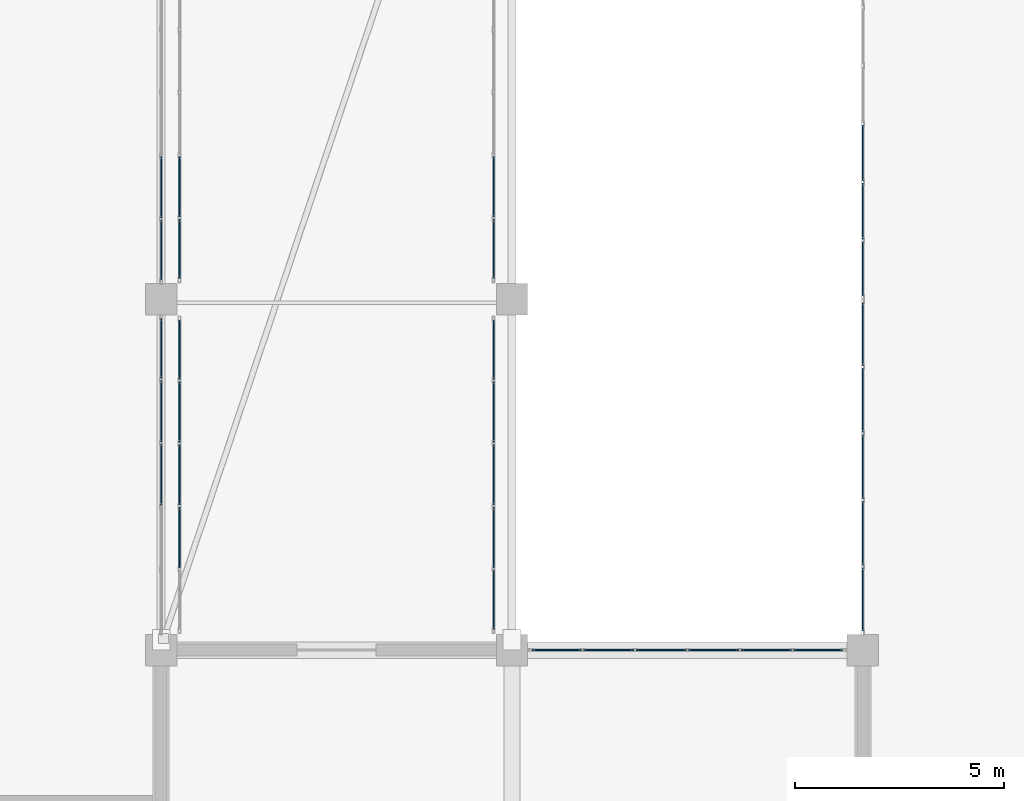
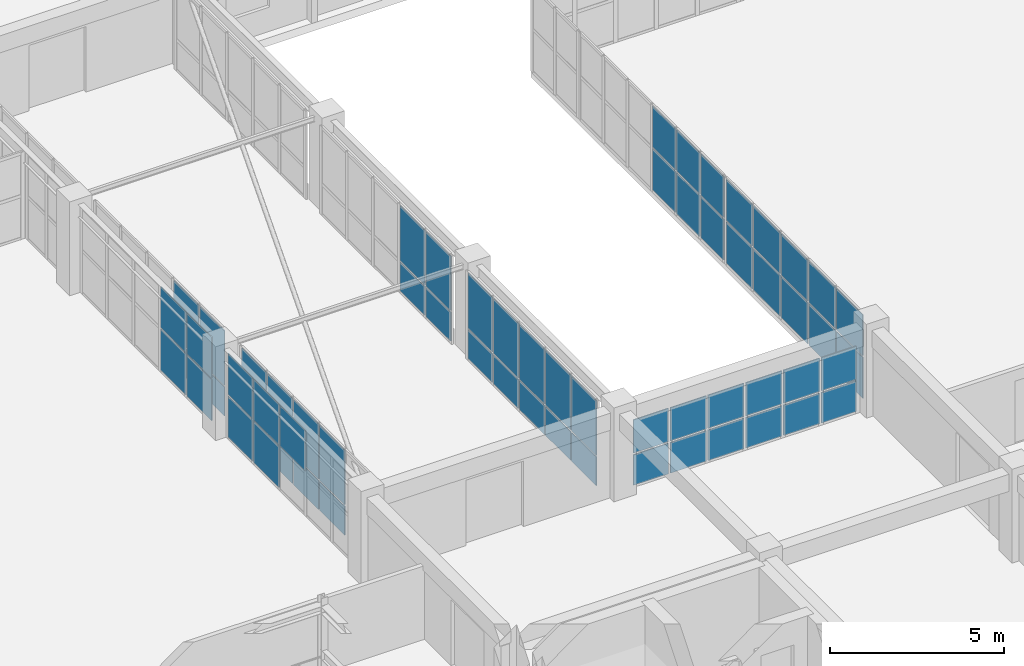
# One storey, part 153 of 200: 63 plates, 9 elements without a shape of their own.
"""IFC4 building model written with IfcOpenShell, lengths in metres."""

from ifc_helpers import new_model, si_unit, direction, frame, origin, origin_2d, place, context, subcontext, project, spatial, rectangle, extrude, material, layer, layer_set, type_object, element, aggregate, save


model = new_model("IFC4")

# Units and contexts
model_context = context("Model", 3, precision=1e-05, world=origin(), true_north=direction((0.0, 1.0)))
body_context = subcontext(model_context, "Body", "Model", "MODEL_VIEW")
ifc_project = project(units=[si_unit("LENGTHUNIT", "METRE"), si_unit("AREAUNIT", "SQUARE_METRE"), si_unit("VOLUMEUNIT", "CUBIC_METRE"), si_unit("PLANEANGLEUNIT", "RADIAN"), si_unit("MASSUNIT", "GRAM", prefix="KILO")], contexts=[model_context])

# Site, building, storey
site_placement = place(None, origin())
site = spatial("IfcSite", under=ifc_project, at=site_placement, CompositionType="ELEMENT")
building_placement = place(site_placement, origin())
building = spatial("IfcBuilding", under=site, at=building_placement, Name="Trelvath General Hospital", CompositionType="ELEMENT")
storey_placement = place(building_placement, frame((0.0, 0.0, 4.800048828125)))
storey = spatial("IfcBuildingStorey", under=building, at=storey_placement, Name="L01", CompositionType="ELEMENT", Elevation=4.800048828125)

# Curtain wall, plates
ifc_material_1 = material(Name="Anodised aluminium and low-E glass", Category="aluminium")
ifc_layer_1 = layer(ifc_material_1, 0.14990234375)
ifc_layer_set_1 = layer_set([ifc_layer_1], Name="Anodised aluminium and low-E glass")
curtain_wall_type_1 = type_object("IfcCurtainWallType", Name="CW CrystalCube 759 306 15", PredefinedType="USERDEFINED", material=ifc_layer_set_1)
curtain_wall_1_placement = place(storey_placement, origin())
curtain_wall_1 = element("IfcCurtainWall", 1, at=curtain_wall_1_placement, inside=storey, type_object=curtain_wall_type_1, Name="Crystal Cube Curtain Wall CUBE-W-T0 E5 L01", ObjectType="Unitised Glazed Curtain Wall", PredefinedType="USERDEFINED")
ifc_material_2 = material(Name="Low-E laminated glass", Category="glass")
ifc_layer_2 = layer(ifc_material_2, 0.028076171875)
ifc_layer_set_2 = layer_set([ifc_layer_2], Name="Low-E laminated glass")
plate_type_1 = type_object("IfcPlateType", Name="CurtainPanel Glass28", PredefinedType="CURTAIN_PANEL", material=ifc_layer_set_2)
plate_1_placement = place(storey_placement, frame((75.60009765625, 74.4208984375, 0.06005859375), z_axis=(0.0, 0.0, 1.0), x_axis=(0.0, -1.0, 0.0)))
plate_1 = element("IfcPlate", 2, at=plate_1_placement, type_object=plate_type_1, Name="CW-145 panel 1.1", PredefinedType="CURTAIN_PANEL", context=body_context, shape_type="SweptSolid", body=[
    extrude(rectangle(XDim=1.427978515625, YDim=0.028076171875, at=origin_2d()), origin(), (0.0, 0.0, 1.0), 1.43994140625),
])
plate_2_placement = place(storey_placement, frame((75.60009765625, 74.4208984375, 1.56005859375), z_axis=(0.0, 0.0, 1.0), x_axis=(0.0, -1.0, 0.0)))
plate_2 = element("IfcPlate", 3, at=plate_2_placement, type_object=plate_type_1, Name="CW-145 panel 1.2", PredefinedType="CURTAIN_PANEL", context=body_context, shape_type="SweptSolid", body=[
    extrude(rectangle(XDim=1.427978515625, YDim=0.028076171875, at=origin_2d()), origin(), (0.0, 0.0, 1.0), 1.43994140625),
])
plate_3_placement = place(storey_placement, frame((75.60009765625, 72.91796875, 0.06005859375), z_axis=(0.0, 0.0, 1.0), x_axis=(0.0, -1.0, 0.0)))
plate_3 = element("IfcPlate", 4, at=plate_3_placement, type_object=plate_type_1, Name="CW-145 panel 2.1", PredefinedType="CURTAIN_PANEL", context=body_context, shape_type="SweptSolid", body=[
    extrude(rectangle(XDim=1.4580078125, YDim=0.028076171875, at=origin_2d()), origin(), (0.0, 0.0, 1.0), 1.43994140625),
])
plate_4_placement = place(storey_placement, frame((75.60009765625, 72.91796875, 1.56005859375), z_axis=(0.0, 0.0, 1.0), x_axis=(0.0, -1.0, 0.0)))
plate_4 = element("IfcPlate", 5, at=plate_4_placement, type_object=plate_type_1, Name="CW-145 panel 2.2", PredefinedType="CURTAIN_PANEL", context=body_context, shape_type="SweptSolid", body=[
    extrude(rectangle(XDim=1.4580078125, YDim=0.028076171875, at=origin_2d()), origin(), (0.0, 0.0, 1.0), 1.43994140625),
])
plate_5_placement = place(storey_placement, frame((75.60009765625, 71.39990234375, 1.56005859375), z_axis=(0.0, 0.0, 1.0), x_axis=(0.0, -1.0, 0.0)))
plate_5 = element("IfcPlate", 6, at=plate_5_placement, type_object=plate_type_1, Name="CW-145 panel 3.2", PredefinedType="CURTAIN_PANEL", context=body_context, shape_type="SweptSolid", body=[
    extrude(rectangle(XDim=1.4580078125, YDim=0.028076171875, at=origin_2d()), origin(), (0.0, 0.0, 1.0), 1.43994140625),
])
aggregate(curtain_wall_1, [plate_1, plate_2, plate_3, plate_4, plate_5])

curtain_wall_2_placement = place(storey_placement, origin())
curtain_wall_2 = element("IfcCurtainWall", 7, at=curtain_wall_2_placement, inside=storey, type_object=curtain_wall_type_1, Name="Crystal Cube Curtain Wall CUBE-W-T0 E6 L01", ObjectType="Unitised Glazed Curtain Wall", PredefinedType="USERDEFINED")
plate_6_placement = place(storey_placement, frame((75.60009765625, 78.281982421875, 0.06005859375), z_axis=(0.0, 0.0, 1.0), x_axis=(0.0, -1.0, 0.0)))
plate_6 = element("IfcPlate", 8, at=plate_6_placement, type_object=plate_type_1, Name="CW-147 panel 4.1", PredefinedType="CURTAIN_PANEL", context=body_context, shape_type="SweptSolid", body=[
    extrude(rectangle(XDim=1.4580078125, YDim=0.028076171875, at=origin_2d()), origin(), (0.0, 0.0, 1.0), 1.43994140625),
])
plate_7_placement = place(storey_placement, frame((75.60009765625, 78.281982421875, 1.56005859375), z_axis=(0.0, 0.0, 1.0), x_axis=(0.0, -1.0, 0.0)))
plate_7 = element("IfcPlate", 9, at=plate_7_placement, type_object=plate_type_1, Name="CW-147 panel 4.2", PredefinedType="CURTAIN_PANEL", context=body_context, shape_type="SweptSolid", body=[
    extrude(rectangle(XDim=1.4580078125, YDim=0.028076171875, at=origin_2d()), origin(), (0.0, 0.0, 1.0), 1.43994140625),
])
plate_8_placement = place(storey_placement, frame((75.60009765625, 76.779052734375, 0.06005859375), z_axis=(0.0, 0.0, 1.0), x_axis=(0.0, -1.0, 0.0)))
plate_8 = element("IfcPlate", 10, at=plate_8_placement, type_object=plate_type_1, Name="CW-147 panel 5.1", PredefinedType="CURTAIN_PANEL", context=body_context, shape_type="SweptSolid", body=[
    extrude(rectangle(XDim=1.427978515625, YDim=0.028076171875, at=origin_2d()), origin(), (0.0, 0.0, 1.0), 1.43994140625),
])
plate_9_placement = place(storey_placement, frame((75.60009765625, 76.779052734375, 1.56005859375), z_axis=(0.0, 0.0, 1.0), x_axis=(0.0, -1.0, 0.0)))
plate_9 = element("IfcPlate", 11, at=plate_9_placement, type_object=plate_type_1, Name="CW-147 panel 5.2", PredefinedType="CURTAIN_PANEL", context=body_context, shape_type="SweptSolid", body=[
    extrude(rectangle(XDim=1.427978515625, YDim=0.028076171875, at=origin_2d()), origin(), (0.0, 0.0, 1.0), 1.43994140625),
])
aggregate(curtain_wall_2, [plate_6, plate_7, plate_8, plate_9])

ifc_material_3 = material(Name="Anodised aluminium and low-E glass", Category="aluminium")
ifc_layer_3 = layer(ifc_material_3, 0.14990234375)
ifc_layer_set_3 = layer_set([ifc_layer_3], Name="Anodised aluminium and low-E glass")
curtain_wall_type_2 = type_object("IfcCurtainWallType", Name="CW CrystalCube 798 306 15", PredefinedType="USERDEFINED", material=ifc_layer_set_3)
curtain_wall_3_placement = place(storey_placement, origin())
curtain_wall_3 = element("IfcCurtainWall", 12, at=curtain_wall_3_placement, inside=storey, type_object=curtain_wall_type_2, Name="Crystal Cube Curtain Wall CUBE-E-T0 W5 L01", ObjectType="Unitised Glazed Curtain Wall", PredefinedType="USERDEFINED")
plate_10_placement = place(storey_placement, frame((92.39990234375, 68.41748046875, 0.06005859375), z_axis=(0.0, 0.0, 1.0), x_axis=(0.0, 1.0, 0.0)))
plate_10 = element("IfcPlate", 13, at=plate_10_placement, type_object=plate_type_1, Name="CW-167 panel 1.1", PredefinedType="CURTAIN_PANEL", context=body_context, shape_type="SweptSolid", body=[
    extrude(rectangle(XDim=1.5048828125, YDim=0.028076171875, at=origin_2d()), origin(), (0.0, 0.0, 1.0), 1.43994140625),
])
plate_11_placement = place(storey_placement, frame((92.39990234375, 68.41748046875, 1.56005859375), z_axis=(0.0, 0.0, 1.0), x_axis=(0.0, 1.0, 0.0)))
plate_11 = element("IfcPlate", 14, at=plate_11_placement, type_object=plate_type_1, Name="CW-167 panel 1.2", PredefinedType="CURTAIN_PANEL", context=body_context, shape_type="SweptSolid", body=[
    extrude(rectangle(XDim=1.5048828125, YDim=0.028076171875, at=origin_2d()), origin(), (0.0, 0.0, 1.0), 1.43994140625),
])
plate_12_placement = place(storey_placement, frame((92.39990234375, 69.99755859375, 0.06005859375), z_axis=(0.0, 0.0, 1.0), x_axis=(0.0, 1.0, 0.0)))
plate_12 = element("IfcPlate", 15, at=plate_12_placement, type_object=plate_type_1, Name="CW-167 panel 2.1", PredefinedType="CURTAIN_PANEL", context=body_context, shape_type="SweptSolid", body=[
    extrude(rectangle(XDim=1.534912109375, YDim=0.028076171875, at=origin_2d()), origin(), (0.0, 0.0, 1.0), 1.43994140625),
])
plate_13_placement = place(storey_placement, frame((92.39990234375, 69.99755859375, 1.56005859375), z_axis=(0.0, 0.0, 1.0), x_axis=(0.0, 1.0, 0.0)))
plate_13 = element("IfcPlate", 16, at=plate_13_placement, type_object=plate_type_1, Name="CW-167 panel 2.2", PredefinedType="CURTAIN_PANEL", context=body_context, shape_type="SweptSolid", body=[
    extrude(rectangle(XDim=1.534912109375, YDim=0.028076171875, at=origin_2d()), origin(), (0.0, 0.0, 1.0), 1.43994140625),
])
plate_14_placement = place(storey_placement, frame((92.39990234375, 71.592529296875, 0.06005859375), z_axis=(0.0, 0.0, 1.0), x_axis=(0.0, 1.0, 0.0)))
plate_14 = element("IfcPlate", 17, at=plate_14_placement, type_object=plate_type_1, Name="CW-167 panel 3.1", PredefinedType="CURTAIN_PANEL", context=body_context, shape_type="SweptSolid", body=[
    extrude(rectangle(XDim=1.534912109375, YDim=0.028076171875, at=origin_2d()), origin(), (0.0, 0.0, 1.0), 1.43994140625),
])
plate_15_placement = place(storey_placement, frame((92.39990234375, 71.592529296875, 1.56005859375), z_axis=(0.0, 0.0, 1.0), x_axis=(0.0, 1.0, 0.0)))
plate_15 = element("IfcPlate", 18, at=plate_15_placement, type_object=plate_type_1, Name="CW-167 panel 3.2", PredefinedType="CURTAIN_PANEL", context=body_context, shape_type="SweptSolid", body=[
    extrude(rectangle(XDim=1.534912109375, YDim=0.028076171875, at=origin_2d()), origin(), (0.0, 0.0, 1.0), 1.43994140625),
])
plate_16_placement = place(storey_placement, frame((92.39990234375, 73.1875, 0.06005859375), z_axis=(0.0, 0.0, 1.0), x_axis=(0.0, 1.0, 0.0)))
plate_16 = element("IfcPlate", 19, at=plate_16_placement, type_object=plate_type_1, Name="CW-167 panel 4.1", PredefinedType="CURTAIN_PANEL", context=body_context, shape_type="SweptSolid", body=[
    extrude(rectangle(XDim=1.534912109375, YDim=0.028076171875, at=origin_2d()), origin(), (0.0, 0.0, 1.0), 1.43994140625),
])
plate_17_placement = place(storey_placement, frame((92.39990234375, 73.1875, 1.56005859375), z_axis=(0.0, 0.0, 1.0), x_axis=(0.0, 1.0, 0.0)))
plate_17 = element("IfcPlate", 20, at=plate_17_placement, type_object=plate_type_1, Name="CW-167 panel 4.2", PredefinedType="CURTAIN_PANEL", context=body_context, shape_type="SweptSolid", body=[
    extrude(rectangle(XDim=1.534912109375, YDim=0.028076171875, at=origin_2d()), origin(), (0.0, 0.0, 1.0), 1.43994140625),
])
plate_18_placement = place(storey_placement, frame((92.39990234375, 74.767578125, 0.06005859375), z_axis=(0.0, 0.0, 1.0), x_axis=(0.0, 1.0, 0.0)))
plate_18 = element("IfcPlate", 21, at=plate_18_placement, type_object=plate_type_1, Name="CW-167 panel 5.1", PredefinedType="CURTAIN_PANEL", context=body_context, shape_type="SweptSolid", body=[
    extrude(rectangle(XDim=1.5048828125, YDim=0.028076171875, at=origin_2d()), origin(), (0.0, 0.0, 1.0), 1.43994140625),
])
plate_19_placement = place(storey_placement, frame((92.39990234375, 74.767578125, 1.56005859375), z_axis=(0.0, 0.0, 1.0), x_axis=(0.0, 1.0, 0.0)))
plate_19 = element("IfcPlate", 22, at=plate_19_placement, type_object=plate_type_1, Name="CW-167 panel 5.2", PredefinedType="CURTAIN_PANEL", context=body_context, shape_type="SweptSolid", body=[
    extrude(rectangle(XDim=1.5048828125, YDim=0.028076171875, at=origin_2d()), origin(), (0.0, 0.0, 1.0), 1.43994140625),
])
aggregate(curtain_wall_3, [plate_10, plate_11, plate_12, plate_13, plate_14, plate_15, plate_16, plate_17, plate_18, plate_19])

ifc_material_4 = material(Name="Anodised aluminium and low-E glass", Category="aluminium")
ifc_layer_4 = layer(ifc_material_4, 0.14990234375)
ifc_layer_set_4 = layer_set([ifc_layer_4], Name="Anodised aluminium and low-E glass")
curtain_wall_type_3 = type_object("IfcCurtainWallType", Name="CW CrystalCube 836 306 15", PredefinedType="USERDEFINED", material=ifc_layer_set_4)
curtain_wall_4_placement = place(storey_placement, origin())
curtain_wall_4 = element("IfcCurtainWall", 23, at=curtain_wall_4_placement, inside=storey, type_object=curtain_wall_type_3, Name="Crystal Cube Curtain Wall CUBE-E-T0 W6 L01", ObjectType="Unitised Glazed Curtain Wall", PredefinedType="USERDEFINED")
plate_20_placement = place(storey_placement, frame((92.39990234375, 76.331787109375, 0.06005859375), z_axis=(0.0, 0.0, 1.0), x_axis=(0.0, 1.0, 0.0)))
plate_20 = element("IfcPlate", 24, at=plate_20_placement, type_object=plate_type_1, Name="CW-169 panel 1.1", PredefinedType="CURTAIN_PANEL", context=body_context, shape_type="SweptSolid", body=[
    extrude(rectangle(XDim=1.30322265625, YDim=0.028076171875, at=origin_2d()), origin(), (0.0, 0.0, 1.0), 1.43994140625),
])
plate_21_placement = place(storey_placement, frame((92.39990234375, 76.331787109375, 1.56005859375), z_axis=(0.0, 0.0, 1.0), x_axis=(0.0, 1.0, 0.0)))
plate_21 = element("IfcPlate", 25, at=plate_21_placement, type_object=plate_type_1, Name="CW-169 panel 1.2", PredefinedType="CURTAIN_PANEL", context=body_context, shape_type="SweptSolid", body=[
    extrude(rectangle(XDim=1.30322265625, YDim=0.028076171875, at=origin_2d()), origin(), (0.0, 0.0, 1.0), 1.43994140625),
])
plate_22_placement = place(storey_placement, frame((92.39990234375, 77.7099609375, 0.06005859375), z_axis=(0.0, 0.0, 1.0), x_axis=(0.0, 1.0, 0.0)))
plate_22 = element("IfcPlate", 26, at=plate_22_placement, type_object=plate_type_1, Name="CW-169 panel 2.1", PredefinedType="CURTAIN_PANEL", context=body_context, shape_type="SweptSolid", body=[
    extrude(rectangle(XDim=1.333251953125, YDim=0.028076171875, at=origin_2d()), origin(), (0.0, 0.0, 1.0), 1.43994140625),
])
plate_23_placement = place(storey_placement, frame((92.39990234375, 77.7099609375, 1.56005859375), z_axis=(0.0, 0.0, 1.0), x_axis=(0.0, 1.0, 0.0)))
plate_23 = element("IfcPlate", 27, at=plate_23_placement, type_object=plate_type_1, Name="CW-169 panel 2.2", PredefinedType="CURTAIN_PANEL", context=body_context, shape_type="SweptSolid", body=[
    extrude(rectangle(XDim=1.333251953125, YDim=0.028076171875, at=origin_2d()), origin(), (0.0, 0.0, 1.0), 1.43994140625),
])
plate_24_placement = place(storey_placement, frame((92.39990234375, 79.103271484375, 0.06005859375), z_axis=(0.0, 0.0, 1.0), x_axis=(0.0, 1.0, 0.0)))
plate_24 = element("IfcPlate", 28, at=plate_24_placement, type_object=plate_type_1, Name="CW-169 panel 3.1", PredefinedType="CURTAIN_PANEL", context=body_context, shape_type="SweptSolid", body=[
    extrude(rectangle(XDim=1.333251953125, YDim=0.028076171875, at=origin_2d()), origin(), (0.0, 0.0, 1.0), 1.43994140625),
])
plate_25_placement = place(storey_placement, frame((92.39990234375, 79.103271484375, 1.56005859375), z_axis=(0.0, 0.0, 1.0), x_axis=(0.0, 1.0, 0.0)))
plate_25 = element("IfcPlate", 29, at=plate_25_placement, type_object=plate_type_1, Name="CW-169 panel 3.2", PredefinedType="CURTAIN_PANEL", context=body_context, shape_type="SweptSolid", body=[
    extrude(rectangle(XDim=1.333251953125, YDim=0.028076171875, at=origin_2d()), origin(), (0.0, 0.0, 1.0), 1.43994140625),
])
aggregate(curtain_wall_4, [plate_20, plate_21, plate_22, plate_23, plate_24, plate_25])

ifc_material_5 = material(Name="Anodised aluminium and low-E glass", Category="aluminium")
ifc_layer_5 = layer(ifc_material_5, 0.139892578125)
ifc_layer_set_5 = layer_set([ifc_layer_5], Name="Anodised aluminium and low-E glass")
curtain_wall_type_4 = type_object("IfcCurtainWallType", Name="CW Bridge 752 311", PredefinedType="USERDEFINED", material=ifc_layer_set_5)
curtain_wall_5_placement = place(storey_placement, origin())
curtain_wall_5 = element("IfcCurtainWall", 30, at=curtain_wall_5_placement, inside=storey, type_object=curtain_wall_type_4, Name="Glazed Bridge Curtain Wall BRG-N-C W L01", ObjectType="Unitised Glazed Curtain Wall", PredefinedType="USERDEFINED")
plate_26_placement = place(storey_placement, frame((76.0400390625, 69.89599609375, 0.06005859375), z_axis=(0.0, 0.0, 1.0), x_axis=(0.0, 1.0, 0.0)))
plate_26 = element("IfcPlate", 31, at=plate_26_placement, type_object=plate_type_1, Name="CW-172 panel 2.1", PredefinedType="CURTAIN_PANEL", context=body_context, shape_type="SweptSolid", body=[
    extrude(rectangle(XDim=1.444091796875, YDim=0.028076171875, at=origin_2d()), origin(), (0.0, 0.0, 1.0), 1.010009765625),
])
plate_27_placement = place(storey_placement, frame((76.0400390625, 69.89599609375, 1.1298828125), z_axis=(0.0, 0.0, 1.0), x_axis=(0.0, 1.0, 0.0)))
plate_27 = element("IfcPlate", 32, at=plate_27_placement, type_object=plate_type_1, Name="CW-172 panel 2.2", PredefinedType="CURTAIN_PANEL", context=body_context, shape_type="SweptSolid", body=[
    extrude(rectangle(XDim=1.444091796875, YDim=0.028076171875, at=origin_2d()), origin(), (0.0, 0.0, 1.0), 1.919921875),
])
plate_28_placement = place(storey_placement, frame((76.0400390625, 71.39990234375, 0.06005859375), z_axis=(0.0, 0.0, 1.0), x_axis=(0.0, 1.0, 0.0)))
plate_28 = element("IfcPlate", 33, at=plate_28_placement, type_object=plate_type_1, Name="CW-172 panel 3.1", PredefinedType="CURTAIN_PANEL", context=body_context, shape_type="SweptSolid", body=[
    extrude(rectangle(XDim=1.444091796875, YDim=0.028076171875, at=origin_2d()), origin(), (0.0, 0.0, 1.0), 1.010009765625),
])
plate_29_placement = place(storey_placement, frame((76.0400390625, 71.39990234375, 1.1298828125), z_axis=(0.0, 0.0, 1.0), x_axis=(0.0, 1.0, 0.0)))
plate_29 = element("IfcPlate", 34, at=plate_29_placement, type_object=plate_type_1, Name="CW-172 panel 3.2", PredefinedType="CURTAIN_PANEL", context=body_context, shape_type="SweptSolid", body=[
    extrude(rectangle(XDim=1.444091796875, YDim=0.028076171875, at=origin_2d()), origin(), (0.0, 0.0, 1.0), 1.919921875),
])
plate_30_placement = place(storey_placement, frame((76.0400390625, 72.904052734375, 0.06005859375), z_axis=(0.0, 0.0, 1.0), x_axis=(0.0, 1.0, 0.0)))
plate_30 = element("IfcPlate", 35, at=plate_30_placement, type_object=plate_type_1, Name="CW-172 panel 4.1", PredefinedType="CURTAIN_PANEL", context=body_context, shape_type="SweptSolid", body=[
    extrude(rectangle(XDim=1.444091796875, YDim=0.028076171875, at=origin_2d()), origin(), (0.0, 0.0, 1.0), 1.010009765625),
])
plate_31_placement = place(storey_placement, frame((76.0400390625, 72.904052734375, 1.1298828125), z_axis=(0.0, 0.0, 1.0), x_axis=(0.0, 1.0, 0.0)))
plate_31 = element("IfcPlate", 36, at=plate_31_placement, type_object=plate_type_1, Name="CW-172 panel 4.2", PredefinedType="CURTAIN_PANEL", context=body_context, shape_type="SweptSolid", body=[
    extrude(rectangle(XDim=1.444091796875, YDim=0.028076171875, at=origin_2d()), origin(), (0.0, 0.0, 1.0), 1.919921875),
])
plate_32_placement = place(storey_placement, frame((76.0400390625, 74.39306640625, 0.06005859375), z_axis=(0.0, 0.0, 1.0), x_axis=(0.0, 1.0, 0.0)))
plate_32 = element("IfcPlate", 37, at=plate_32_placement, type_object=plate_type_1, Name="CW-172 panel 5.1", PredefinedType="CURTAIN_PANEL", context=body_context, shape_type="SweptSolid", body=[
    extrude(rectangle(XDim=1.4140625, YDim=0.028076171875, at=origin_2d()), origin(), (0.0, 0.0, 1.0), 1.010009765625),
])
plate_33_placement = place(storey_placement, frame((76.0400390625, 74.39306640625, 1.1298828125), z_axis=(0.0, 0.0, 1.0), x_axis=(0.0, 1.0, 0.0)))
plate_33 = element("IfcPlate", 38, at=plate_33_placement, type_object=plate_type_1, Name="CW-172 panel 5.2", PredefinedType="CURTAIN_PANEL", context=body_context, shape_type="SweptSolid", body=[
    extrude(rectangle(XDim=1.4140625, YDim=0.028076171875, at=origin_2d()), origin(), (0.0, 0.0, 1.0), 1.919921875),
])
aggregate(curtain_wall_5, [plate_26, plate_27, plate_28, plate_29, plate_30, plate_31, plate_32, plate_33])

curtain_wall_6_placement = place(storey_placement, origin())
curtain_wall_6 = element("IfcCurtainWall", 39, at=curtain_wall_6_placement, inside=storey, type_object=curtain_wall_type_4, Name="Glazed Bridge Curtain Wall BRG-N-C E L01", ObjectType="Unitised Glazed Curtain Wall", PredefinedType="USERDEFINED")
plate_34_placement = place(storey_placement, frame((83.56005859375, 74.39306640625, 0.06005859375), z_axis=(0.0, 0.0, 1.0), x_axis=(0.0, -1.0, 0.0)))
plate_34 = element("IfcPlate", 40, at=plate_34_placement, type_object=plate_type_1, Name="CW-173 panel 1.1", PredefinedType="CURTAIN_PANEL", context=body_context, shape_type="SweptSolid", body=[
    extrude(rectangle(XDim=1.4140625, YDim=0.028076171875, at=origin_2d()), origin(), (0.0, 0.0, 1.0), 1.010009765625),
])
plate_35_placement = place(storey_placement, frame((83.56005859375, 74.39306640625, 1.1298828125), z_axis=(0.0, 0.0, 1.0), x_axis=(0.0, -1.0, 0.0)))
plate_35 = element("IfcPlate", 41, at=plate_35_placement, type_object=plate_type_1, Name="CW-173 panel 1.2", PredefinedType="CURTAIN_PANEL", context=body_context, shape_type="SweptSolid", body=[
    extrude(rectangle(XDim=1.4140625, YDim=0.028076171875, at=origin_2d()), origin(), (0.0, 0.0, 1.0), 1.919921875),
])
plate_36_placement = place(storey_placement, frame((83.56005859375, 72.904052734375, 0.06005859375), z_axis=(0.0, 0.0, 1.0), x_axis=(0.0, -1.0, 0.0)))
plate_36 = element("IfcPlate", 42, at=plate_36_placement, type_object=plate_type_1, Name="CW-173 panel 2.1", PredefinedType="CURTAIN_PANEL", context=body_context, shape_type="SweptSolid", body=[
    extrude(rectangle(XDim=1.444091796875, YDim=0.028076171875, at=origin_2d()), origin(), (0.0, 0.0, 1.0), 1.010009765625),
])
plate_37_placement = place(storey_placement, frame((83.56005859375, 72.904052734375, 1.1298828125), z_axis=(0.0, 0.0, 1.0), x_axis=(0.0, -1.0, 0.0)))
plate_37 = element("IfcPlate", 43, at=plate_37_placement, type_object=plate_type_1, Name="CW-173 panel 2.2", PredefinedType="CURTAIN_PANEL", context=body_context, shape_type="SweptSolid", body=[
    extrude(rectangle(XDim=1.444091796875, YDim=0.028076171875, at=origin_2d()), origin(), (0.0, 0.0, 1.0), 1.919921875),
])
plate_38_placement = place(storey_placement, frame((83.56005859375, 71.39990234375, 0.06005859375), z_axis=(0.0, 0.0, 1.0), x_axis=(0.0, -1.0, 0.0)))
plate_38 = element("IfcPlate", 44, at=plate_38_placement, type_object=plate_type_1, Name="CW-173 panel 3.1", PredefinedType="CURTAIN_PANEL", context=body_context, shape_type="SweptSolid", body=[
    extrude(rectangle(XDim=1.444091796875, YDim=0.028076171875, at=origin_2d()), origin(), (0.0, 0.0, 1.0), 1.010009765625),
])
plate_39_placement = place(storey_placement, frame((83.56005859375, 71.39990234375, 1.1298828125), z_axis=(0.0, 0.0, 1.0), x_axis=(0.0, -1.0, 0.0)))
plate_39 = element("IfcPlate", 45, at=plate_39_placement, type_object=plate_type_1, Name="CW-173 panel 3.2", PredefinedType="CURTAIN_PANEL", context=body_context, shape_type="SweptSolid", body=[
    extrude(rectangle(XDim=1.444091796875, YDim=0.028076171875, at=origin_2d()), origin(), (0.0, 0.0, 1.0), 1.919921875),
])
plate_40_placement = place(storey_placement, frame((83.56005859375, 69.89599609375, 0.06005859375), z_axis=(0.0, 0.0, 1.0), x_axis=(0.0, -1.0, 0.0)))
plate_40 = element("IfcPlate", 46, at=plate_40_placement, type_object=plate_type_1, Name="CW-173 panel 4.1", PredefinedType="CURTAIN_PANEL", context=body_context, shape_type="SweptSolid", body=[
    extrude(rectangle(XDim=1.444091796875, YDim=0.028076171875, at=origin_2d()), origin(), (0.0, 0.0, 1.0), 1.010009765625),
])
plate_41_placement = place(storey_placement, frame((83.56005859375, 69.89599609375, 1.1298828125), z_axis=(0.0, 0.0, 1.0), x_axis=(0.0, -1.0, 0.0)))
plate_41 = element("IfcPlate", 47, at=plate_41_placement, type_object=plate_type_1, Name="CW-173 panel 4.2", PredefinedType="CURTAIN_PANEL", context=body_context, shape_type="SweptSolid", body=[
    extrude(rectangle(XDim=1.444091796875, YDim=0.028076171875, at=origin_2d()), origin(), (0.0, 0.0, 1.0), 1.919921875),
])
plate_42_placement = place(storey_placement, frame((83.56005859375, 68.406982421875, 0.06005859375), z_axis=(0.0, 0.0, 1.0), x_axis=(0.0, -1.0, 0.0)))
plate_42 = element("IfcPlate", 48, at=plate_42_placement, type_object=plate_type_1, Name="CW-173 panel 5.1", PredefinedType="CURTAIN_PANEL", context=body_context, shape_type="SweptSolid", body=[
    extrude(rectangle(XDim=1.4140625, YDim=0.028076171875, at=origin_2d()), origin(), (0.0, 0.0, 1.0), 1.010009765625),
])
plate_43_placement = place(storey_placement, frame((83.56005859375, 68.406982421875, 1.1298828125), z_axis=(0.0, 0.0, 1.0), x_axis=(0.0, -1.0, 0.0)))
plate_43 = element("IfcPlate", 49, at=plate_43_placement, type_object=plate_type_1, Name="CW-173 panel 5.2", PredefinedType="CURTAIN_PANEL", context=body_context, shape_type="SweptSolid", body=[
    extrude(rectangle(XDim=1.4140625, YDim=0.028076171875, at=origin_2d()), origin(), (0.0, 0.0, 1.0), 1.919921875),
])
aggregate(curtain_wall_6, [plate_34, plate_35, plate_36, plate_37, plate_38, plate_39, plate_40, plate_41, plate_42, plate_43])

curtain_wall_7_placement = place(storey_placement, origin())
curtain_wall_7 = element("IfcCurtainWall", 50, at=curtain_wall_7_placement, inside=storey, type_object=curtain_wall_type_4, Name="Glazed Bridge Curtain Wall BRG-N-C W L01", ObjectType="Unitised Glazed Curtain Wall", PredefinedType="USERDEFINED")
plate_44_placement = place(storey_placement, frame((76.0400390625, 76.806884765625, 0.06005859375), z_axis=(0.0, 0.0, 1.0), x_axis=(0.0, 1.0, 0.0)))
plate_44 = element("IfcPlate", 51, at=plate_44_placement, type_object=plate_type_1, Name="CW-174 panel 1.1", PredefinedType="CURTAIN_PANEL", context=body_context, shape_type="SweptSolid", body=[
    extrude(rectangle(XDim=1.4140625, YDim=0.028076171875, at=origin_2d()), origin(), (0.0, 0.0, 1.0), 1.010009765625),
])
plate_45_placement = place(storey_placement, frame((76.0400390625, 76.806884765625, 1.1298828125), z_axis=(0.0, 0.0, 1.0), x_axis=(0.0, 1.0, 0.0)))
plate_45 = element("IfcPlate", 52, at=plate_45_placement, type_object=plate_type_1, Name="CW-174 panel 1.2", PredefinedType="CURTAIN_PANEL", context=body_context, shape_type="SweptSolid", body=[
    extrude(rectangle(XDim=1.4140625, YDim=0.028076171875, at=origin_2d()), origin(), (0.0, 0.0, 1.0), 1.919921875),
])
plate_46_placement = place(storey_placement, frame((76.0400390625, 78.2958984375, 0.06005859375), z_axis=(0.0, 0.0, 1.0), x_axis=(0.0, 1.0, 0.0)))
plate_46 = element("IfcPlate", 53, at=plate_46_placement, type_object=plate_type_1, Name="CW-174 panel 2.1", PredefinedType="CURTAIN_PANEL", context=body_context, shape_type="SweptSolid", body=[
    extrude(rectangle(XDim=1.444091796875, YDim=0.028076171875, at=origin_2d()), origin(), (0.0, 0.0, 1.0), 1.010009765625),
])
plate_47_placement = place(storey_placement, frame((76.0400390625, 78.2958984375, 1.1298828125), z_axis=(0.0, 0.0, 1.0), x_axis=(0.0, 1.0, 0.0)))
plate_47 = element("IfcPlate", 54, at=plate_47_placement, type_object=plate_type_1, Name="CW-174 panel 2.2", PredefinedType="CURTAIN_PANEL", context=body_context, shape_type="SweptSolid", body=[
    extrude(rectangle(XDim=1.444091796875, YDim=0.028076171875, at=origin_2d()), origin(), (0.0, 0.0, 1.0), 1.919921875),
])
aggregate(curtain_wall_7, [plate_44, plate_45, plate_46, plate_47])

curtain_wall_8_placement = place(storey_placement, origin())
curtain_wall_8 = element("IfcCurtainWall", 55, at=curtain_wall_8_placement, inside=storey, type_object=curtain_wall_type_4, Name="Glazed Bridge Curtain Wall BRG-N-C E L01", ObjectType="Unitised Glazed Curtain Wall", PredefinedType="USERDEFINED")
plate_48_placement = place(storey_placement, frame((83.56005859375, 78.2958984375, 0.06005859375), z_axis=(0.0, 0.0, 1.0), x_axis=(0.0, -1.0, 0.0)))
plate_48 = element("IfcPlate", 56, at=plate_48_placement, type_object=plate_type_1, Name="CW-175 panel 4.1", PredefinedType="CURTAIN_PANEL", context=body_context, shape_type="SweptSolid", body=[
    extrude(rectangle(XDim=1.444091796875, YDim=0.028076171875, at=origin_2d()), origin(), (0.0, 0.0, 1.0), 1.010009765625),
])
plate_49_placement = place(storey_placement, frame((83.56005859375, 78.2958984375, 1.1298828125), z_axis=(0.0, 0.0, 1.0), x_axis=(0.0, -1.0, 0.0)))
plate_49 = element("IfcPlate", 57, at=plate_49_placement, type_object=plate_type_1, Name="CW-175 panel 4.2", PredefinedType="CURTAIN_PANEL", context=body_context, shape_type="SweptSolid", body=[
    extrude(rectangle(XDim=1.444091796875, YDim=0.028076171875, at=origin_2d()), origin(), (0.0, 0.0, 1.0), 1.919921875),
])
plate_50_placement = place(storey_placement, frame((83.56005859375, 76.806884765625, 0.06005859375), z_axis=(0.0, 0.0, 1.0), x_axis=(0.0, -1.0, 0.0)))
plate_50 = element("IfcPlate", 58, at=plate_50_placement, type_object=plate_type_1, Name="CW-175 panel 5.1", PredefinedType="CURTAIN_PANEL", context=body_context, shape_type="SweptSolid", body=[
    extrude(rectangle(XDim=1.4140625, YDim=0.028076171875, at=origin_2d()), origin(), (0.0, 0.0, 1.0), 1.010009765625),
])
plate_51_placement = place(storey_placement, frame((83.56005859375, 76.806884765625, 1.1298828125), z_axis=(0.0, 0.0, 1.0), x_axis=(0.0, -1.0, 0.0)))
plate_51 = element("IfcPlate", 59, at=plate_51_placement, type_object=plate_type_1, Name="CW-175 panel 5.2", PredefinedType="CURTAIN_PANEL", context=body_context, shape_type="SweptSolid", body=[
    extrude(rectangle(XDim=1.4140625, YDim=0.028076171875, at=origin_2d()), origin(), (0.0, 0.0, 1.0), 1.919921875),
])
aggregate(curtain_wall_8, [plate_48, plate_49, plate_50, plate_51])

ifc_material_6 = material(Name="Anodised aluminium and low-E glass", Category="aluminium")
ifc_layer_6 = layer(ifc_material_6, 0.159912109375)
ifc_layer_set_6 = layer_set([ifc_layer_6], Name="Anodised aluminium and low-E glass")
curtain_wall_type_5 = type_object("IfcCurtainWallType", Name="CW Facade 754 242 16", PredefinedType="USERDEFINED", material=ifc_layer_set_6)
curtain_wall_9_placement = place(storey_placement, origin())
curtain_wall_9 = element("IfcCurtainWall", 60, at=curtain_wall_9_placement, inside=storey, type_object=curtain_wall_type_5, Name="Facade Curtain Wall CW-017", ObjectType="Unitised Glazed Curtain Wall", PredefinedType="USERDEFINED")
ifc_material_7 = material(Name="Low-E laminated glass", Category="glass")
ifc_layer_7 = layer(ifc_material_7, 0.035888671875)
ifc_layer_set_7 = layer_set([ifc_layer_7], Name="Low-E laminated glass")
plate_type_2 = type_object("IfcPlateType", Name="CurtainPanel Glass36", PredefinedType="CURTAIN_PANEL", material=ifc_layer_set_7)
plate_52_placement = place(storey_placement, frame((85.0732421875, 67.199951171875, 0.06005859375), z_axis=(0.0, 0.0, 1.0), x_axis=(1.0, 0.0, 0.0)))
plate_52 = element("IfcPlate", 61, at=plate_52_placement, type_object=plate_type_2, Name="CW-017 panel 1.1", PredefinedType="CURTAIN_PANEL", context=body_context, shape_type="SweptSolid", body=[
    extrude(rectangle(XDim=1.166748046875, YDim=0.035888671875, at=origin_2d()), origin(), (0.0, 0.0, 1.0), 1.072021484375),
])
plate_53_placement = place(storey_placement, frame((85.0732421875, 67.199951171875, 1.19189453125), z_axis=(0.0, 0.0, 1.0), x_axis=(1.0, 0.0, 0.0)))
plate_53 = element("IfcPlate", 62, at=plate_53_placement, type_object=plate_type_2, Name="CW-017 panel 1.2", PredefinedType="CURTAIN_PANEL", context=body_context, shape_type="SweptSolid", body=[
    extrude(rectangle(XDim=1.166748046875, YDim=0.035888671875, at=origin_2d()), origin(), (0.0, 0.0, 1.0), 1.16796875),
])
plate_54_placement = place(storey_placement, frame((86.31494140625, 67.199951171875, 0.06005859375), z_axis=(0.0, 0.0, 1.0), x_axis=(1.0, 0.0, 0.0)))
plate_54 = element("IfcPlate", 63, at=plate_54_placement, type_object=plate_type_2, Name="CW-017 panel 2.1", PredefinedType="CURTAIN_PANEL", context=body_context, shape_type="SweptSolid", body=[
    extrude(rectangle(XDim=1.19677734375, YDim=0.035888671875, at=origin_2d()), origin(), (0.0, 0.0, 1.0), 1.072021484375),
])
plate_55_placement = place(storey_placement, frame((86.31494140625, 67.199951171875, 1.19189453125), z_axis=(0.0, 0.0, 1.0), x_axis=(1.0, 0.0, 0.0)))
plate_55 = element("IfcPlate", 64, at=plate_55_placement, type_object=plate_type_2, Name="CW-017 panel 2.2", PredefinedType="CURTAIN_PANEL", context=body_context, shape_type="SweptSolid", body=[
    extrude(rectangle(XDim=1.19677734375, YDim=0.035888671875, at=origin_2d()), origin(), (0.0, 0.0, 1.0), 1.16796875),
])
plate_56_placement = place(storey_placement, frame((87.57177734375, 67.199951171875, 0.06005859375), z_axis=(0.0, 0.0, 1.0), x_axis=(1.0, 0.0, 0.0)))
plate_56 = element("IfcPlate", 65, at=plate_56_placement, type_object=plate_type_2, Name="CW-017 panel 3.1", PredefinedType="CURTAIN_PANEL", context=body_context, shape_type="SweptSolid", body=[
    extrude(rectangle(XDim=1.19677734375, YDim=0.035888671875, at=origin_2d()), origin(), (0.0, 0.0, 1.0), 1.072021484375),
])
plate_57_placement = place(storey_placement, frame((87.57177734375, 67.199951171875, 1.19189453125), z_axis=(0.0, 0.0, 1.0), x_axis=(1.0, 0.0, 0.0)))
plate_57 = element("IfcPlate", 66, at=plate_57_placement, type_object=plate_type_2, Name="CW-017 panel 3.2", PredefinedType="CURTAIN_PANEL", context=body_context, shape_type="SweptSolid", body=[
    extrude(rectangle(XDim=1.19677734375, YDim=0.035888671875, at=origin_2d()), origin(), (0.0, 0.0, 1.0), 1.16796875),
])
plate_58_placement = place(storey_placement, frame((88.828369140625, 67.199951171875, 0.06005859375), z_axis=(0.0, 0.0, 1.0), x_axis=(1.0, 0.0, 0.0)))
plate_58 = element("IfcPlate", 67, at=plate_58_placement, type_object=plate_type_2, Name="CW-017 panel 4.1", PredefinedType="CURTAIN_PANEL", context=body_context, shape_type="SweptSolid", body=[
    extrude(rectangle(XDim=1.19677734375, YDim=0.035888671875, at=origin_2d()), origin(), (0.0, 0.0, 1.0), 1.072021484375),
])
plate_59_placement = place(storey_placement, frame((88.828369140625, 67.199951171875, 1.19189453125), z_axis=(0.0, 0.0, 1.0), x_axis=(1.0, 0.0, 0.0)))
plate_59 = element("IfcPlate", 68, at=plate_59_placement, type_object=plate_type_2, Name="CW-017 panel 4.2", PredefinedType="CURTAIN_PANEL", context=body_context, shape_type="SweptSolid", body=[
    extrude(rectangle(XDim=1.19677734375, YDim=0.035888671875, at=origin_2d()), origin(), (0.0, 0.0, 1.0), 1.16796875),
])
plate_60_placement = place(storey_placement, frame((90.0849609375, 67.199951171875, 0.06005859375), z_axis=(0.0, 0.0, 1.0), x_axis=(1.0, 0.0, 0.0)))
plate_60 = element("IfcPlate", 69, at=plate_60_placement, type_object=plate_type_2, Name="CW-017 panel 5.1", PredefinedType="CURTAIN_PANEL", context=body_context, shape_type="SweptSolid", body=[
    extrude(rectangle(XDim=1.19677734375, YDim=0.035888671875, at=origin_2d()), origin(), (0.0, 0.0, 1.0), 1.072021484375),
])
plate_61_placement = place(storey_placement, frame((90.0849609375, 67.199951171875, 1.19189453125), z_axis=(0.0, 0.0, 1.0), x_axis=(1.0, 0.0, 0.0)))
plate_61 = element("IfcPlate", 70, at=plate_61_placement, type_object=plate_type_2, Name="CW-017 panel 5.2", PredefinedType="CURTAIN_PANEL", context=body_context, shape_type="SweptSolid", body=[
    extrude(rectangle(XDim=1.19677734375, YDim=0.035888671875, at=origin_2d()), origin(), (0.0, 0.0, 1.0), 1.16796875),
])
plate_62_placement = place(storey_placement, frame((91.32666015625, 67.199951171875, 0.06005859375), z_axis=(0.0, 0.0, 1.0), x_axis=(1.0, 0.0, 0.0)))
plate_62 = element("IfcPlate", 71, at=plate_62_placement, type_object=plate_type_2, Name="CW-017 panel 6.1", PredefinedType="CURTAIN_PANEL", context=body_context, shape_type="SweptSolid", body=[
    extrude(rectangle(XDim=1.166748046875, YDim=0.035888671875, at=origin_2d()), origin(), (0.0, 0.0, 1.0), 1.072021484375),
])
plate_63_placement = place(storey_placement, frame((91.32666015625, 67.199951171875, 1.19189453125), z_axis=(0.0, 0.0, 1.0), x_axis=(1.0, 0.0, 0.0)))
plate_63 = element("IfcPlate", 72, at=plate_63_placement, type_object=plate_type_2, Name="CW-017 panel 6.2", PredefinedType="CURTAIN_PANEL", context=body_context, shape_type="SweptSolid", body=[
    extrude(rectangle(XDim=1.166748046875, YDim=0.035888671875, at=origin_2d()), origin(), (0.0, 0.0, 1.0), 1.16796875),
])
aggregate(curtain_wall_9, [plate_52, plate_53, plate_54, plate_55, plate_56, plate_57, plate_58, plate_59, plate_60, plate_61, plate_62, plate_63])

save(model, "model.ifc")
